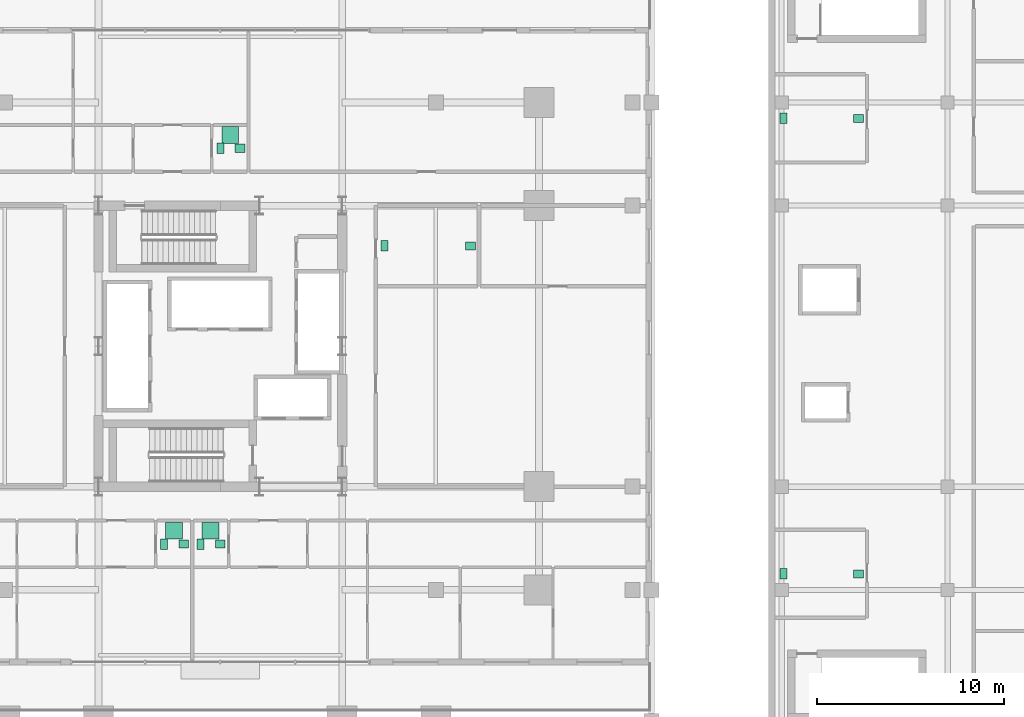
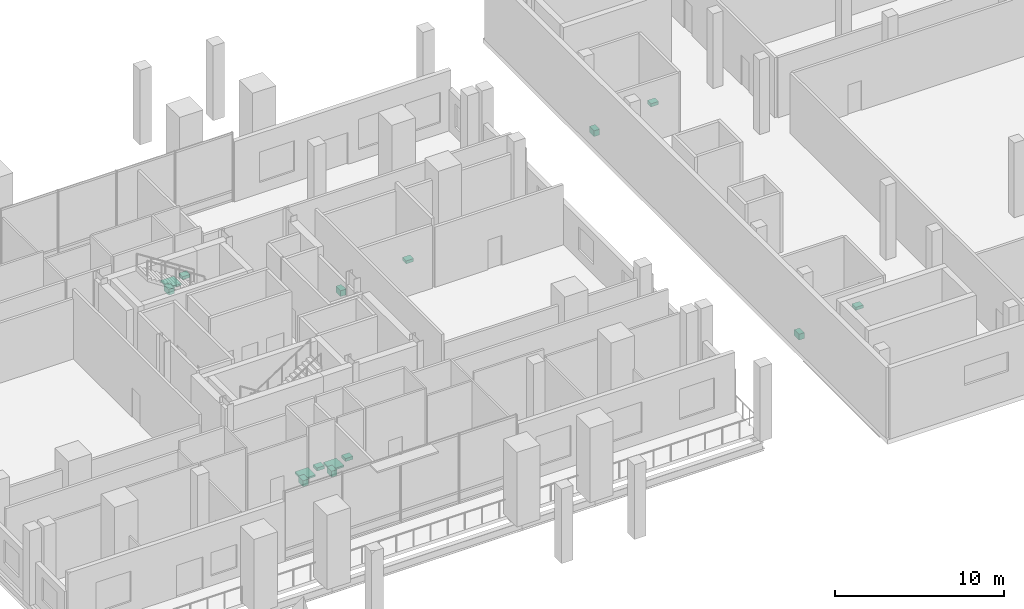
# One storey, part 25 of 25: 15 sanitary terminals.
"""IFC4 building model written with IfcOpenShell, lengths in metres."""

from ifc_helpers import new_model, si_unit, direction, frame, origin, origin_2d, place, context, subcontext, project, spatial, rectangle, extrude, material, type_object, element, save


model = new_model("IFC4")

# Units and contexts
model_context = context("Model", 3, precision=1e-05, world=origin(), true_north=direction((0.0, 1.0)))
body_context = subcontext(model_context, "Body", "Model", "MODEL_VIEW")
ifc_project = project(units=[si_unit("LENGTHUNIT", "METRE"), si_unit("AREAUNIT", "SQUARE_METRE"), si_unit("VOLUMEUNIT", "CUBIC_METRE"), si_unit("PLANEANGLEUNIT", "RADIAN"), si_unit("MASSUNIT", "GRAM", prefix="KILO")], contexts=[model_context])

# Site, building, storey
site_placement = place(None, origin())
site = spatial("IfcSite", under=ifc_project, at=site_placement, CompositionType="ELEMENT")
building_placement = place(site_placement, origin())
building = spatial("IfcBuilding", under=site, at=building_placement, Name="Barlavira Tower and Art Museum", CompositionType="ELEMENT")
storey_placement = place(building_placement, frame((0.0, 0.0, 22.199951171875)))
storey = spatial("IfcBuildingStorey", under=building, at=storey_placement, Name="L04", CompositionType="ELEMENT", Elevation=22.199951171875)

# Sanitary terminals
ifc_material = material(Name="Vitreous glazed ceramic", Category="ceramic")
sanitary_terminal_type_1 = type_object("IfcSanitaryTerminalType", Name="Countertop Ceramic Wash Hand Basin", PredefinedType="WASHHANDBASIN", material=ifc_material)
for number, where, z_axis, x_axis, name in (
    (1, (-1.949951171875, -10.56005859375, 0.740234375), (0.0, 0.0, 1.0), (1.0, 0.0, 0.0), "L04-P4-SW-BTH1 Wash Basin"),
    (2, (0.0, -10.56005859375, 0.740234375), (0.0, 0.0, 1.0), (1.0, 0.0, 0.0), "L04-P4-SE-BTH1 Wash Basin"),
    (3, (1.050048828125, 10.56005859375, 0.740234375), (0.0, 0.0, 1.0), (1.0, 0.0, 0.0), "L04-P4-NW-BTH1 Wash Basin"),
    (4, (13.35009765625, 5.35009765625, 0.740234375), (0.0, 0.0, 1.0), (1.0, 0.0, 0.0), "L04-POD-AWC Wash Basin"),
    (5, (34.050048828125, 12.14990234375, 0.740234375), (0.0, 0.0, 1.0), (1.0, 0.0, 0.0), "L04-MUS-WC Wash Basin"),
    (6, (34.050048828125, -12.14990234375, 0.740234375), (0.0, 0.0, 1.0), (1.0, 0.0, 0.0), "L04-MUS-AWC Wash Basin"),
):
    element("IfcSanitaryTerminal", number, at=place(storey_placement, frame(where, z_axis=z_axis, x_axis=x_axis)), inside=storey, type_object=sanitary_terminal_type_1, Name=name, PredefinedType="WASHHANDBASIN", context=body_context, shape_type="SweptSolid", body=[
        extrude(rectangle(XDim=0.52001953125, YDim=0.43994140625, at=origin_2d()), origin(), (0.0, 0.0, 1.0), 0.219970703125),
    ])
sanitary_terminal_type_2 = type_object("IfcSanitaryTerminalType", Name="Walk-In Thermostatic Rain Shower Unit", PredefinedType="SHOWER", material=ifc_material)
for number, where, z_axis, x_axis, name in (
    (7, (-2.47509765625, -9.85009765625, 0.0), (0.0, 0.0, 1.0), (1.0, 0.0, 0.0), "L04-P4-SW-BTH1 Rain Shower"),
    (8, (-0.52490234375, -9.85009765625, 0.0), (0.0, 0.0, 1.0), (1.0, 0.0, 0.0), "L04-P4-SE-BTH1 Rain Shower"),
    (9, (0.52490234375, 11.27001953125, 0.0), (0.0, 0.0, 1.0), (1.0, 0.0, 0.0), "L04-P4-NW-BTH1 Rain Shower"),
):
    element("IfcSanitaryTerminal", number, at=place(storey_placement, frame(where, z_axis=z_axis, x_axis=x_axis)), inside=storey, type_object=sanitary_terminal_type_2, Name=name, PredefinedType="SHOWER", context=body_context, shape_type="SweptSolid", body=[
        extrude(rectangle(XDim=0.89990234375, YDim=0.89990234375, at=origin_2d()), origin(), (0.0, 0.0, 1.0), 0.1201171875),
    ])
sanitary_terminal_type_3 = type_object("IfcSanitaryTerminalType", Name="Wall-Hung Dual-Flush Vitreous WC Pan", PredefinedType="TOILETPAN", material=ifc_material)
for number, where, z_axis, x_axis, name in (
    (10, (-3.0, -10.56005859375, 0.0), (0.0, 0.0, 1.0), (1.0, 0.0, 0.0), "L04-P4-SW-BTH1 WC Pan"),
    (11, (-1.050048828125, -10.56005859375, 0.0), (0.0, 0.0, 1.0), (1.0, 0.0, 0.0), "L04-P4-SE-BTH1 WC Pan"),
    (12, (0.0, 10.56005859375, 0.0), (0.0, 0.0, 1.0), (1.0, 0.0, 0.0), "L04-P4-NW-BTH1 WC Pan"),
    (13, (8.75, 5.35009765625, 0.0), (0.0, 0.0, 1.0), (1.0, 0.0, 0.0), "L04-POD-AWC WC Pan"),
    (14, (30.050048828125, 12.14990234375, 0.0), (0.0, 0.0, 1.0), (1.0, 0.0, 0.0), "L04-MUS-WC WC Pan"),
    (15, (30.050048828125, -12.14990234375, 0.0), (0.0, 0.0, 1.0), (1.0, 0.0, 0.0), "L04-MUS-AWC WC Pan"),
):
    element("IfcSanitaryTerminal", number, at=place(storey_placement, frame(where, z_axis=z_axis, x_axis=x_axis)), inside=storey, type_object=sanitary_terminal_type_3, Name=name, PredefinedType="TOILETPAN", context=body_context, shape_type="SweptSolid", body=[
        extrude(rectangle(XDim=0.3798828125, YDim=0.56005859375, at=origin_2d()), origin(), (0.0, 0.0, 1.0), 0.419921875),
    ])

save(model, "model.ifc")
